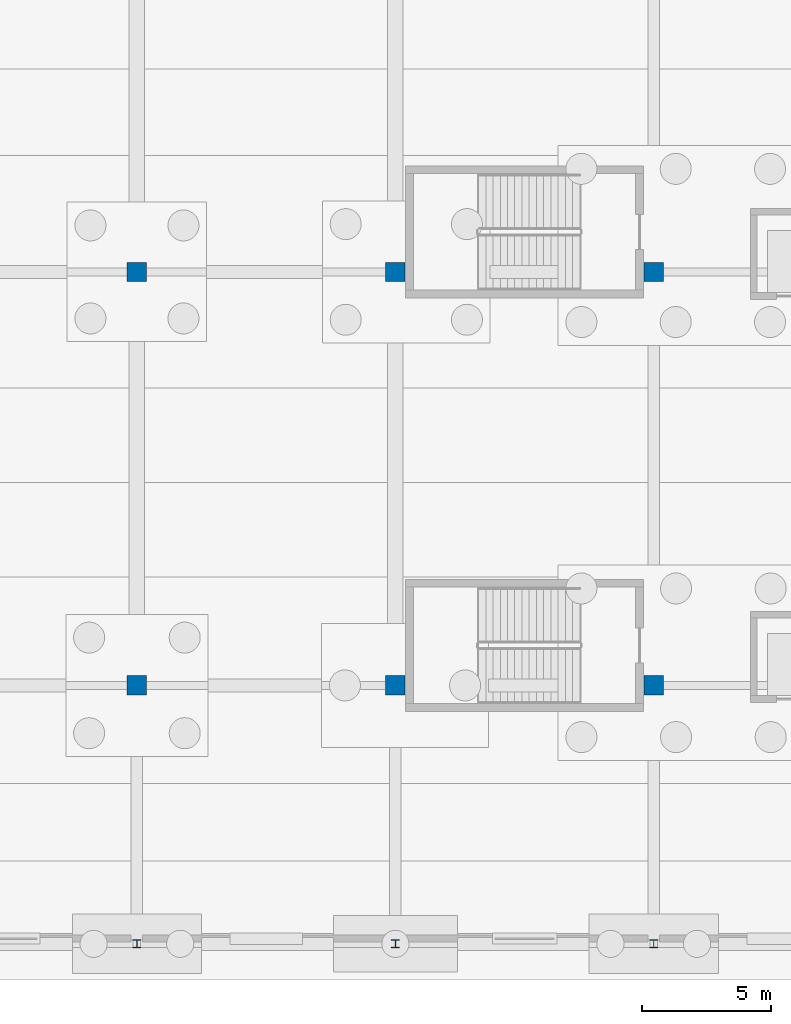
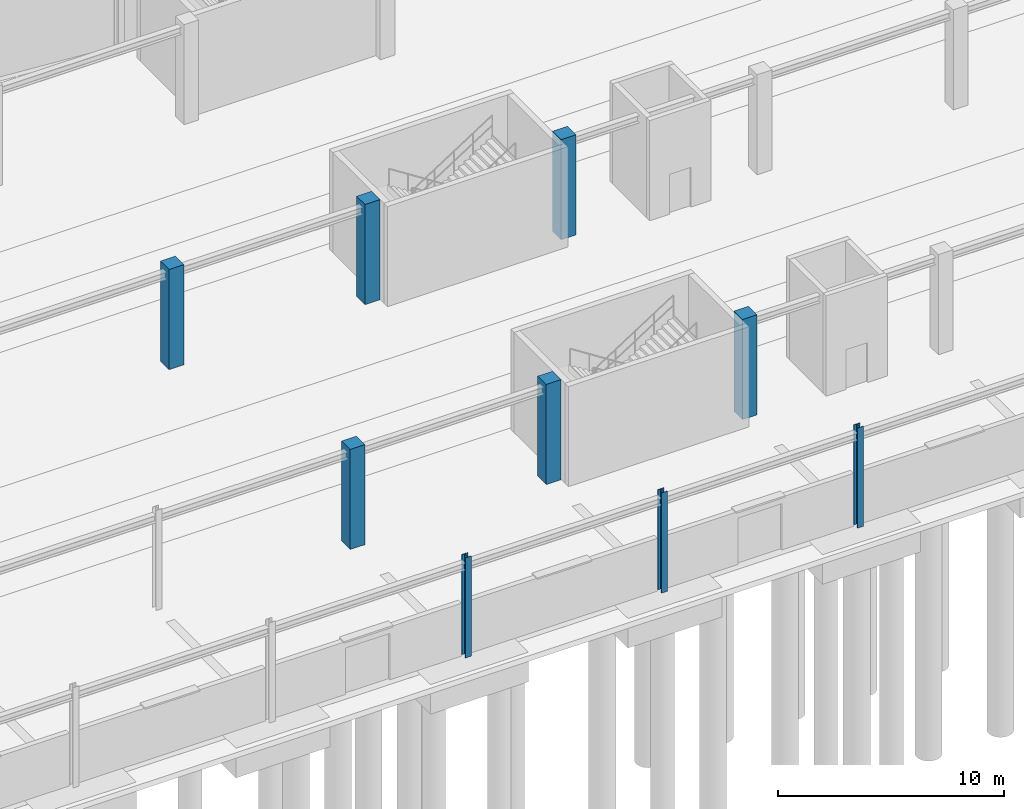
# One storey, part 10 of 99: 9 columns.
"""IFC4 building model written with IfcOpenShell, lengths in metres."""

from ifc_helpers import new_model, si_unit, direction, frame, origin, origin_2d, place, context, subcontext, project, spatial, rectangle, i_section, extrude, material, material_profile, profile_set, type_object, element, save


model = new_model("IFC4")

# Units and contexts
model_context = context("Model", 3, precision=1e-05, world=origin(), true_north=direction((0.0, 1.0)))
body_context = subcontext(model_context, "Body", "Model", "MODEL_VIEW")
ifc_project = project(units=[si_unit("LENGTHUNIT", "METRE"), si_unit("AREAUNIT", "SQUARE_METRE"), si_unit("VOLUMEUNIT", "CUBIC_METRE"), si_unit("PLANEANGLEUNIT", "RADIAN"), si_unit("MASSUNIT", "GRAM", prefix="KILO")], contexts=[model_context])

# Site, building, storey
site_placement = place(None, origin())
site = spatial("IfcSite", under=ifc_project, at=site_placement, CompositionType="ELEMENT")
building_placement = place(site_placement, origin())
building = spatial("IfcBuilding", under=site, at=building_placement, Name="Kivolera Central Railway Station", CompositionType="ELEMENT")
storey_placement = place(building_placement, origin())
storey = spatial("IfcBuildingStorey", under=building, at=storey_placement, Name="L00", CompositionType="ELEMENT", Elevation=0.0)

# Columns
ifc_material_1 = material(Name="Concrete C40/50", Category="concrete")
ifc_material_profile_1 = material_profile(ifc_material_1, rectangle(XDim=0.75, YDim=0.75, at=origin_2d()), Name="RC 750x750")
ifc_profile_set_1 = profile_set([ifc_material_profile_1], Name="Concrete C40/50")
column_type_1 = type_object("IfcColumnType", Name="COL-RC-750", PredefinedType="COLUMN", material=ifc_profile_set_1)
for number, where, z_axis, x_axis, name in (
    (1, (48.0, 16.0, 0.0), (0.0, 0.0, 1.0), (1.0, 0.0, 0.0), "L00 Train Shed Column 5-B"),
    (2, (48.0, 32.0, 0.0), (0.0, 0.0, 1.0), (1.0, 0.0, 0.0), "L00 Train Shed Column 5-C"),
    (3, (58.0, 16.0, 0.0), (0.0, 0.0, 1.0), (1.0, 0.0, 0.0), "L00 Train Shed Column 6-B"),
    (4, (58.0, 32.0, 0.0), (0.0, 0.0, 1.0), (1.0, 0.0, 0.0), "L00 Train Shed Column 6-C"),
    (5, (68.0, 16.0, 0.0), (0.0, 0.0, 1.0), (1.0, 0.0, 0.0), "L00 Train Shed Column 7-B"),
    (6, (68.0, 32.0, 0.0), (0.0, 0.0, 1.0), (1.0, 0.0, 0.0), "L00 Train Shed Column 7-C"),
):
    element("IfcColumn", number, at=place(storey_placement, frame(where, z_axis=z_axis, x_axis=x_axis)), inside=storey, type_object=column_type_1, Name=name, PredefinedType="COLUMN", context=body_context, shape_type="SweptSolid", body=[
        extrude(rectangle(XDim=0.75, YDim=0.75, at=origin_2d()), origin(), (0.0, 0.0, 1.0), 5.39990234375),
    ])
ifc_material_2 = material(Name="Steel S355", Category="steel")
ifc_material_profile_2 = material_profile(ifc_material_2, i_section(OverallWidth=0.30908203125, OverallDepth=0.320556640625, WebThickness=0.013916015625, FlangeThickness=0.021728515625, FilletRadius=0.01513671875, at=origin_2d()), Name="UC 305x305x137")
ifc_profile_set_2 = profile_set([ifc_material_profile_2], Name="Steel S355")
column_type_2 = type_object("IfcColumnType", Name="COL-STL-UC305", PredefinedType="COLUMN", material=ifc_profile_set_2)
for number, where, z_axis, x_axis, name in (
    (7, (48.0, 6.0, 0.0), (0.0, 0.0, 1.0), (1.0, 0.0, 0.0), "L00 Train Shed Column 5-A"),
    (8, (58.0, 6.0, 0.0), (0.0, 0.0, 1.0), (1.0, 0.0, 0.0), "L00 Train Shed Column 6-A"),
    (9, (68.0, 6.0, 0.0), (0.0, 0.0, 1.0), (1.0, 0.0, 0.0), "L00 Train Shed Column 7-A"),
):
    element("IfcColumn", number, at=place(storey_placement, frame(where, z_axis=z_axis, x_axis=x_axis)), inside=storey, type_object=column_type_2, Name=name, PredefinedType="COLUMN", context=body_context, shape_type="SweptSolid", body=[
        extrude(i_section(OverallWidth=0.30908203125, OverallDepth=0.320556640625, WebThickness=0.013916015625, FlangeThickness=0.021728515625, FilletRadius=0.01513671875, at=origin_2d()), origin(), (0.0, 0.0, 1.0), 5.39990234375),
    ])

save(model, "model.ifc")
